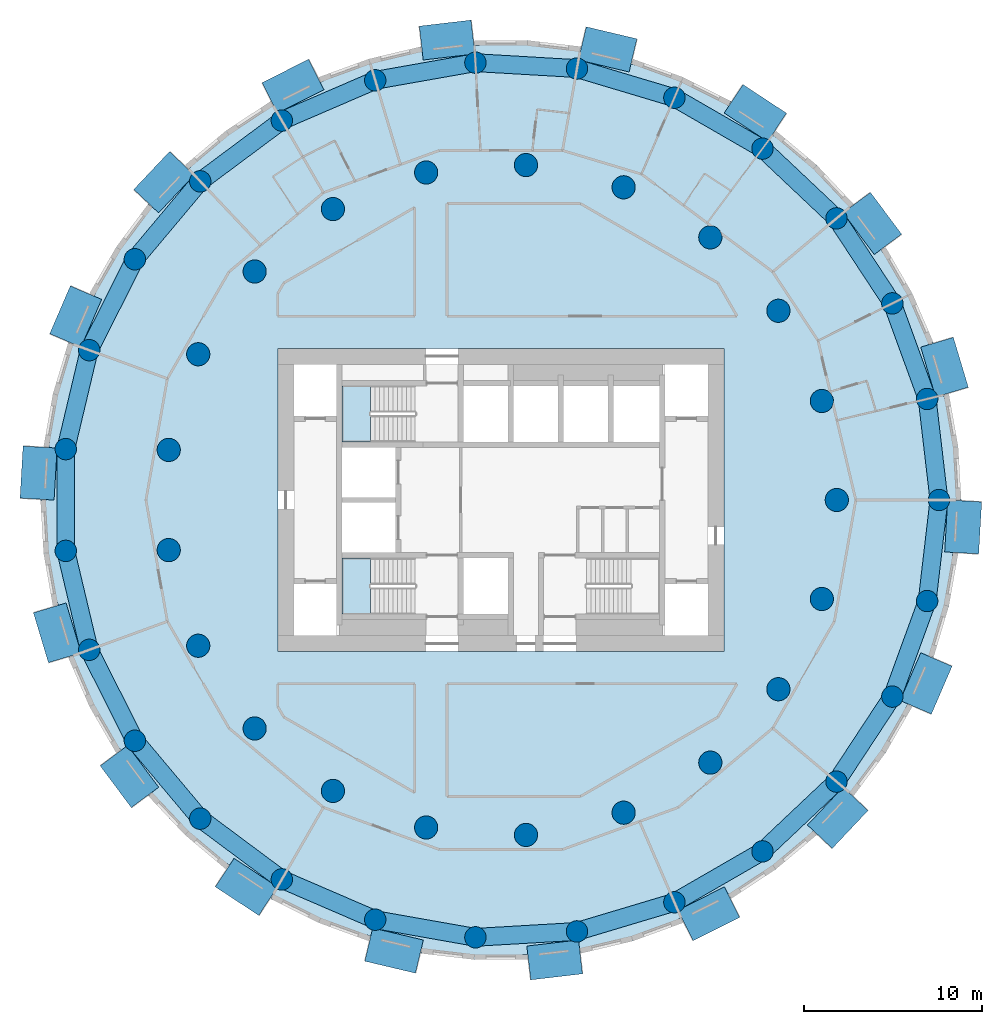
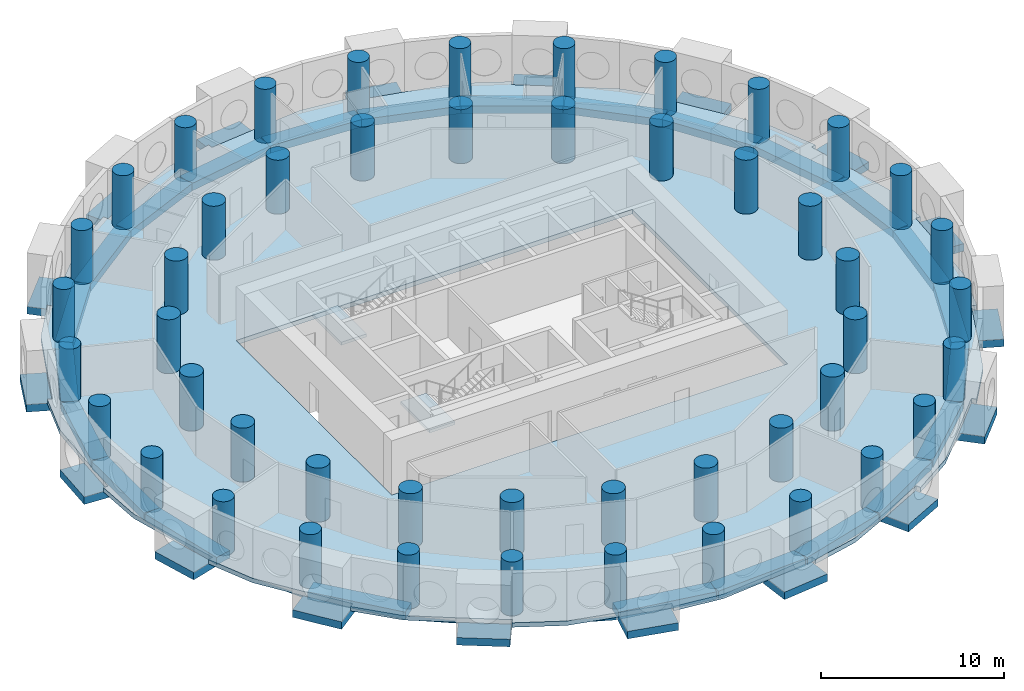
# One storey, part 1 of 9: 48 columns, 45 beams, 3 slabs, 2 elements without a shape of their own.
"""IFC4 building model written with IfcOpenShell, lengths in metres."""

import ifcopenshell
import ifcopenshell.guid

model = None  # the IFC model being written
_history = None  # IfcOwnerHistory: only IFC2X3 demands one
_inside = {}  # id of a spatial element -> (the spatial element, [elements in it])
_under = {}  # id of a project, library or spatial element -> (it, [spatial elements below it])
_declared = {}  # id of a project -> (the project, [libraries it declares])
_typed = {}  # id of a type object -> (the type object, [elements of that type])
_made_of = {}  # id of a material, layer set ... -> (it, [elements and type objects made of it])


def new_model(schema):
    """Start an empty IFC model of exactly this schema.

    Asked for "IFC4X3", IfcOpenShell would pick the latest addendum, in which some entities
    have other attributes; the version numbers below select the first issue.
    IFC2X3 requires an IfcOwnerHistory on every rooted entity: one is made here for all.
    """
    global model, _history
    if schema == "IFC4X3":
        model = ifcopenshell.file(schema_version=(4, 3, 0, 0))
    else:
        model = ifcopenshell.file(schema=schema)
    _inside.clear()
    _under.clear()
    _declared.clear()
    _typed.clear()
    _made_of.clear()
    _history = None
    if model.schema == "IFC2X3":
        org = make("IfcOrganization", Name="unknown")
        user = make(
            "IfcPersonAndOrganization",
            ThePerson=make("IfcPerson", FamilyName="unknown"),
            TheOrganization=org,
        )
        app = make(
            "IfcApplication",
            ApplicationDeveloper=org,
            Version="unknown",
            ApplicationFullName="unknown",
            ApplicationIdentifier="unknown",
        )
        _history = make(
            "IfcOwnerHistory",
            OwningUser=user,
            OwningApplication=app,
            ChangeAction="ADDED",
            CreationDate=0,
        )
    return model


def make(cls, **values):
    """One entity of the class cls with the attributes given. An attribute that is None is left unset."""
    return model.create_entity(
        cls, **{name: value for name, value in values.items() if value is not None}
    )


def rooted(cls, **values):
    """An entity with a GlobalId (a new one), such as an element, a storey or a relation."""
    return make(cls, GlobalId=ifcopenshell.guid.new(), OwnerHistory=_history, **values)


def si_unit(unit_type, name, prefix=None):
    """IfcSIUnit, for example si_unit("LENGTHUNIT", "METRE", prefix="MILLI")."""
    return make("IfcSIUnit", UnitType=unit_type, Prefix=prefix, Name=name)


def assignment(units):
    """IfcUnitAssignment: the units of a project."""
    return None if units is None else make("IfcUnitAssignment", Units=units)


def point(xyz):
    """IfcCartesianPoint."""
    return None if xyz is None else make("IfcCartesianPoint", Coordinates=xyz)


def direction(xyz):
    """IfcDirection."""
    return None if xyz is None else make("IfcDirection", DirectionRatios=xyz)


def frame(location, z_axis=None, x_axis=None):
    """IfcAxis2Placement3D, a coordinate frame: its origin and axes. An axis left out is left unset."""
    return make(
        "IfcAxis2Placement3D",
        Location=point(location),
        Axis=direction(z_axis),
        RefDirection=direction(x_axis),
    )


def frame_2d(location, x_axis=None):
    """IfcAxis2Placement2D, a coordinate frame in the plane: its origin and x axis."""
    return make(
        "IfcAxis2Placement2D", Location=point(location), RefDirection=direction(x_axis)
    )


def origin():
    """The frame at (0, 0, 0) with its axes left unset."""
    return frame((0.0, 0.0, 0.0))


def origin_2d():
    """The frame at (0, 0) in the plane with its x axis left unset."""
    return frame_2d((0.0, 0.0))


def place(relative_to, where):
    """IfcLocalPlacement: puts the frame where relative to a parent placement (None: the world)."""
    return make(
        "IfcLocalPlacement", PlacementRelTo=relative_to, RelativePlacement=where
    )


def context(
    kind, dimensions, precision=None, world=None, true_north=None, identifier=None
):
    """IfcGeometricRepresentationContext, for example the 3D "Model" context."""
    return make(
        "IfcGeometricRepresentationContext",
        ContextIdentifier=identifier,
        ContextType=kind,
        CoordinateSpaceDimension=dimensions,
        Precision=precision,
        WorldCoordinateSystem=world,
        TrueNorth=true_north,
    )


def subcontext(parent, identifier, kind, view, scale=None):
    """IfcGeometricRepresentationSubContext, for example "Body" below "Model"."""
    return make(
        "IfcGeometricRepresentationSubContext",
        ContextIdentifier=identifier,
        ContextType=kind,
        ParentContext=parent,
        TargetScale=scale,
        TargetView=view,
    )


def project(units=None, contexts=None):
    """IfcProject with its units and contexts."""
    return rooted(
        "IfcProject",
        Name="project",
        RepresentationContexts=contexts,
        UnitsInContext=assignment(units),
    )


def spatial(cls, under=None, at=None, **own):
    """A site, building, storey or space (cls), placed at a placement, below another one or the project."""
    s = rooted(cls, ObjectPlacement=at, **own)
    if under is not None:
        _under.setdefault(under.id(), (under, []))[1].append(s)
    return s


def polyline(points):
    """IfcPolyline through the points."""
    return make("IfcPolyline", Points=[point(p) for p in points])


def profile(cls, at=None, kind="AREA", **sizes):
    """A parametric profile (cls). Its sizes go by their IFC names, for example OverallWidth=200.0."""
    return make(cls, ProfileType=kind, Position=at, **sizes)


def rectangle(**sizes):
    """IfcRectangleProfileDef."""
    return profile("IfcRectangleProfileDef", **sizes)


def circle(**sizes):
    """IfcCircleProfileDef."""
    return profile("IfcCircleProfileDef", **sizes)


def outline(outer, holes=None, kind="AREA"):
    """IfcArbitraryClosedProfileDef: a profile drawn as a closed curve; with holes, ...WithVoids."""
    if holes is None:
        return make("IfcArbitraryClosedProfileDef", ProfileType=kind, OuterCurve=outer)
    return make(
        "IfcArbitraryProfileDefWithVoids",
        ProfileType=kind,
        OuterCurve=outer,
        InnerCurves=holes,
    )


def extrude(swept, where, along, depth):
    """IfcExtrudedAreaSolid: the profile swept, set in the frame where, extruded along a direction by depth."""
    return make(
        "IfcExtrudedAreaSolid",
        SweptArea=swept,
        Position=where,
        ExtrudedDirection=direction(along),
        Depth=depth,
    )


def shape(context_of_items, identifier, shape_type, items):
    """IfcShapeRepresentation: the items that make up one representation, for example the "Body"."""
    return make(
        "IfcShapeRepresentation",
        ContextOfItems=context_of_items,
        RepresentationIdentifier=identifier,
        RepresentationType=shape_type,
        Items=items,
    )


def material(Name=None, Category=None):
    """IfcMaterial."""
    return make("IfcMaterial", Name=Name, Category=Category)


def layer(
    of_material, thickness, ventilated=None, Name=None, Category=None, Priority=None
):
    """IfcMaterialLayer: one layer of a wall or slab, of a material (None: an air gap)."""
    return make(
        "IfcMaterialLayer",
        Material=of_material,
        LayerThickness=thickness,
        IsVentilated=ventilated,
        Name=Name,
        Category=Category,
        Priority=Priority,
    )


def layer_set(layers, Name=None):
    """IfcMaterialLayerSet."""
    return make("IfcMaterialLayerSet", MaterialLayers=layers, LayerSetName=Name)


def material_profile(
    of_material, cross_section, Name=None, Category=None, Priority=None
):
    """IfcMaterialProfile: a cross section and its material."""
    return make(
        "IfcMaterialProfile",
        Name=Name,
        Material=of_material,
        Profile=cross_section,
        Priority=Priority,
        Category=Category,
    )


def profile_set(profiles, Name=None, composite=None):
    """IfcMaterialProfileSet."""
    return make(
        "IfcMaterialProfileSet",
        Name=Name,
        MaterialProfiles=profiles,
        CompositeProfile=composite,
    )


def made_of(thing, what):
    """Note that an element or type object is made of a material, layer set ...; save() writes the relation."""
    if what is not None:
        _made_of.setdefault(what.id(), (what, []))[1].append(thing)
    return thing


def type_object(cls, material=None, **own):
    """A type object (cls), such as IfcWallType, which elements share."""
    return made_of(rooted(cls, **own), material)


def element(
    cls,
    number,
    at=None,
    inside=None,
    cuts=None,
    type_object=None,
    material=None,
    context=None,
    identifier="Body",
    shape_type=None,
    held_by="IfcProductDefinitionShape",
    body=None,
    shapes=None,
    **own,
):
    """One element of the class cls, such as IfcWall. Its Tag is "e" and its number.

    at: its placement. inside: the storey or other place that contains it. cuts: it is an
    opening in that element (IfcRelVoidsElement). A single representation is given by context,
    identifier, shape_type and body (its items); several are given by shapes. held_by: the class
    of the entity that holds the representations. save() writes the other relations.
    """
    e = rooted(cls, Tag="e%d" % number, ObjectPlacement=at, **own)
    if body is not None:
        shapes = [shape(context, identifier, shape_type, body)]
    if shapes is not None:
        e.Representation = make(held_by, Representations=shapes)
    if inside is not None:
        _inside.setdefault(inside.id(), (inside, []))[1].append(e)
    if cuts is not None:
        rooted(
            "IfcRelVoidsElement", RelatingBuildingElement=cuts, RelatedOpeningElement=e
        )
    if type_object is not None:
        _typed.setdefault(type_object.id(), (type_object, []))[1].append(e)
    return made_of(e, material)


def aggregate(whole, parts):
    """IfcRelAggregates: a whole, such as a stair, and the parts it consists of."""
    return rooted("IfcRelAggregates", RelatingObject=whole, RelatedObjects=parts)


def save(model, path):
    """Write the relations noted so far, then the file.

    IfcRelAggregates (storeys below a building ...), IfcRelContainedInSpatialStructure (elements
    in a storey), IfcRelDefinesByType, IfcRelAssociatesMaterial and IfcRelDeclares: one each for
    every whole, place, type object, material and project.
    """
    for whole, parts in _under.values():
        aggregate(whole, parts)
    for where, things in _inside.values():
        rooted(
            "IfcRelContainedInSpatialStructure",
            RelatedElements=things,
            RelatingStructure=where,
        )
    for kind, things in _typed.values():
        rooted("IfcRelDefinesByType", RelatedObjects=things, RelatingType=kind)
    for what, things in _made_of.values():
        rooted("IfcRelAssociatesMaterial", RelatedObjects=things, RelatingMaterial=what)
    for by, libraries in _declared.values():
        rooted("IfcRelDeclares", RelatingContext=by, RelatedDefinitions=libraries)
    model.write(path)


model = new_model("IFC4")

# Units and contexts
model_context = context("Model", 3, precision=1e-05, world=origin(), true_north=direction((0.0, 1.0)))
body_context = subcontext(model_context, "Body", "Model", "MODEL_VIEW")
ifc_project = project(units=[si_unit("LENGTHUNIT", "METRE"), si_unit("AREAUNIT", "SQUARE_METRE"), si_unit("VOLUMEUNIT", "CUBIC_METRE"), si_unit("PLANEANGLEUNIT", "RADIAN"), si_unit("MASSUNIT", "GRAM", prefix="KILO")], contexts=[model_context])

# Site, building, storey
site_placement = place(None, origin())
site = spatial("IfcSite", under=ifc_project, at=site_placement, CompositionType="ELEMENT")
building_placement = place(site_placement, origin())
building = spatial("IfcBuilding", under=site, at=building_placement, Name="Tracery Tower", CompositionType="ELEMENT")
storey_placement = place(building_placement, frame((0.0, 0.0, 176.39990234375)))
storey = spatial("IfcBuildingStorey", under=building, at=storey_placement, Name="L45", CompositionType="ELEMENT", Elevation=176.39990234375)

# Columns
ifc_material_1 = material(Name="Concrete C50/60", Category="concrete")
ifc_material_profile_1 = material_profile(ifc_material_1, circle(Radius=0.60009765625, at=origin_2d()), Name="RC D1200")
ifc_profile_set_1 = profile_set([ifc_material_profile_1], Name="Concrete C50/60")
column_type_1 = type_object("IfcColumnType", Name="Ring 1 column 1200", PredefinedType="COLUMN", material=ifc_profile_set_1)
for number, where, z_axis, x_axis, name in (
    (1, (24.547607421875, 0.0, 0.0), (0.0, 0.0, 1.0), (1.0, 0.0, 0.0), "Ring 1 column 00 at L45"),
    (2, (23.885986328125, 5.6611328125, 0.0), (0.0, 0.0, 1.0), (1.0, 0.0, 0.0), "Ring 1 column 01 at L45"),
    (3, (21.9365234375, 11.01708984375, 0.0), (0.0, 0.0, 1.0), (1.0, 0.0, 0.0), "Ring 1 column 02 at L45"),
    (4, (18.8046875, 15.779052734375, 0.0), (0.0, 0.0, 1.0), (1.0, 0.0, 0.0), "Ring 1 column 03 at L45"),
    (5, (14.658935546875, 19.690185546875, 0.0), (0.0, 0.0, 1.0), (1.0, 0.0, 0.0), "Ring 1 column 04 at L45"),
    (6, (9.722900390625, 22.5400390625, 0.0), (0.0, 0.0, 1.0), (1.0, 0.0, 0.0), "Ring 1 column 05 at L45"),
    (7, (4.2626953125, 24.1748046875, 0.0), (0.0, 0.0, 1.0), (1.0, 0.0, 0.0), "Ring 1 column 06 at L45"),
    (8, (-1.42724609375, 24.506103515625, 0.0), (0.0, 0.0, 1.0), (1.0, 0.0, 0.0), "Ring 1 column 07 at L45"),
    (9, (-7.040283203125, 23.516357421875, 0.0), (0.0, 0.0, 1.0), (1.0, 0.0, 0.0), "Ring 1 column 08 at L45"),
    (10, (-12.273681640625, 21.2587890625, 0.0), (0.0, 0.0, 1.0), (1.0, 0.0, 0.0), "Ring 1 column 09 at L45"),
    (11, (-16.845703125, 17.855224609375, 0.0), (0.0, 0.0, 1.0), (1.0, 0.0, 0.0), "Ring 1 column 10 at L45"),
    (12, (-20.50927734375, 13.4892578125, 0.0), (0.0, 0.0, 1.0), (1.0, 0.0, 0.0), "Ring 1 column 11 at L45"),
    (13, (-23.0673828125, 8.395751953125, 0.0), (0.0, 0.0, 1.0), (1.0, 0.0, 0.0), "Ring 1 column 12 at L45"),
    (14, (-24.381591796875, 2.849853515625, 0.0), (0.0, 0.0, 1.0), (1.0, 0.0, 0.0), "Ring 1 column 13 at L45"),
    (15, (-24.381591796875, -2.849853515625, 0.0), (0.0, 0.0, 1.0), (1.0, 0.0, 0.0), "Ring 1 column 14 at L45"),
    (16, (-23.0673828125, -8.395751953125, 0.0), (0.0, 0.0, 1.0), (1.0, 0.0, 0.0), "Ring 1 column 15 at L45"),
    (17, (-20.50927734375, -13.4892578125, 0.0), (0.0, 0.0, 1.0), (1.0, 0.0, 0.0), "Ring 1 column 16 at L45"),
    (18, (-16.845703125, -17.85546875, 0.0), (0.0, 0.0, 1.0), (1.0, 0.0, 0.0), "Ring 1 column 17 at L45"),
    (19, (-12.27392578125, -21.2587890625, 0.0), (0.0, 0.0, 1.0), (1.0, 0.0, 0.0), "Ring 1 column 18 at L45"),
    (20, (-7.040283203125, -23.516357421875, 0.0), (0.0, 0.0, 1.0), (1.0, 0.0, 0.0), "Ring 1 column 19 at L45"),
    (21, (-1.42724609375, -24.506103515625, 0.0), (0.0, 0.0, 1.0), (1.0, 0.0, 0.0), "Ring 1 column 20 at L45"),
    (22, (4.2626953125, -24.1748046875, 0.0), (0.0, 0.0, 1.0), (1.0, 0.0, 0.0), "Ring 1 column 21 at L45"),
    (23, (9.722900390625, -22.5400390625, 0.0), (0.0, 0.0, 1.0), (1.0, 0.0, 0.0), "Ring 1 column 22 at L45"),
    (24, (14.658935546875, -19.690185546875, 0.0), (0.0, 0.0, 1.0), (1.0, 0.0, 0.0), "Ring 1 column 23 at L45"),
    (25, (18.8046875, -15.779052734375, 0.0), (0.0, 0.0, 1.0), (1.0, 0.0, 0.0), "Ring 1 column 24 at L45"),
    (26, (21.9365234375, -11.01708984375, 0.0), (0.0, 0.0, 1.0), (1.0, 0.0, 0.0), "Ring 1 column 25 at L45"),
    (27, (23.885986328125, -5.6611328125, 0.0), (0.0, 0.0, 1.0), (1.0, 0.0, 0.0), "Ring 1 column 26 at L45"),
):
    element("IfcColumn", number, at=place(storey_placement, frame(where, z_axis=z_axis, x_axis=x_axis)), inside=storey, type_object=column_type_1, Name=name, PredefinedType="COLUMN", context=body_context, shape_type="SweptSolid", body=[
        extrude(circle(Radius=0.60009765625, at=origin_2d()), origin(), (0.0, 0.0, 1.0), 3.60009765625),
    ])
ifc_material_2 = material(Name="Concrete C50/60", Category="concrete")
ifc_material_profile_2 = material_profile(ifc_material_2, circle(Radius=0.64990234375, at=origin_2d()), Name="RC D1300")
ifc_profile_set_2 = profile_set([ifc_material_profile_2], Name="Concrete C50/60")
column_type_2 = type_object("IfcColumnType", Name="Ring 2 column 1300", PredefinedType="COLUMN", material=ifc_profile_set_2)
for number, where, z_axis, x_axis, name in (
    (28, (18.822265625, 0.0, 0.0), (0.0, 0.0, 1.0), (1.0, 0.0, 0.0), "Ring 2 column 00 at L45"),
    (29, (17.986083984375, 5.5478515625, 0.0), (0.0, 0.0, 1.0), (1.0, 0.0, 0.0), "Ring 2 column 01 at L45"),
    (30, (15.551513671875, 10.602783203125, 0.0), (0.0, 0.0, 1.0), (1.0, 0.0, 0.0), "Ring 2 column 02 at L45"),
    (31, (11.7353515625, 14.7158203125, 0.0), (0.0, 0.0, 1.0), (1.0, 0.0, 0.0), "Ring 2 column 03 at L45"),
    (32, (6.87646484375, 17.52099609375, 0.0), (0.0, 0.0, 1.0), (1.0, 0.0, 0.0), "Ring 2 column 04 at L45"),
    (33, (1.406494140625, 18.76953125, 0.0), (0.0, 0.0, 1.0), (1.0, 0.0, 0.0), "Ring 2 column 05 at L45"),
    (34, (-4.188232421875, 18.350341796875, 0.0), (0.0, 0.0, 1.0), (1.0, 0.0, 0.0), "Ring 2 column 06 at L45"),
    (35, (-9.4111328125, 16.300537109375, 0.0), (0.0, 0.0, 1.0), (1.0, 0.0, 0.0), "Ring 2 column 07 at L45"),
    (36, (-13.797607421875, 12.802490234375, 0.0), (0.0, 0.0, 1.0), (1.0, 0.0, 0.0), "Ring 2 column 08 at L45"),
    (37, (-16.958251953125, 8.16650390625, 0.0), (0.0, 0.0, 1.0), (1.0, 0.0, 0.0), "Ring 2 column 09 at L45"),
    (38, (-18.612060546875, 2.805419921875, 0.0), (0.0, 0.0, 1.0), (1.0, 0.0, 0.0), "Ring 2 column 10 at L45"),
    (39, (-18.612060546875, -2.805419921875, 0.0), (0.0, 0.0, 1.0), (1.0, 0.0, 0.0), "Ring 2 column 11 at L45"),
    (40, (-16.958251953125, -8.166748046875, 0.0), (0.0, 0.0, 1.0), (1.0, 0.0, 0.0), "Ring 2 column 12 at L45"),
    (41, (-13.797607421875, -12.80224609375, 0.0), (0.0, 0.0, 1.0), (1.0, 0.0, 0.0), "Ring 2 column 13 at L45"),
    (42, (-9.4111328125, -16.300537109375, 0.0), (0.0, 0.0, 1.0), (1.0, 0.0, 0.0), "Ring 2 column 14 at L45"),
    (43, (-4.188232421875, -18.350341796875, 0.0), (0.0, 0.0, 1.0), (1.0, 0.0, 0.0), "Ring 2 column 15 at L45"),
    (44, (1.406494140625, -18.76953125, 0.0), (0.0, 0.0, 1.0), (1.0, 0.0, 0.0), "Ring 2 column 16 at L45"),
    (45, (6.87646484375, -17.52099609375, 0.0), (0.0, 0.0, 1.0), (1.0, 0.0, 0.0), "Ring 2 column 17 at L45"),
    (46, (11.7353515625, -14.7158203125, 0.0), (0.0, 0.0, 1.0), (1.0, 0.0, 0.0), "Ring 2 column 18 at L45"),
    (47, (15.551513671875, -10.602783203125, 0.0), (0.0, 0.0, 1.0), (1.0, 0.0, 0.0), "Ring 2 column 19 at L45"),
    (48, (17.986083984375, -5.5478515625, 0.0), (0.0, 0.0, 1.0), (1.0, 0.0, 0.0), "Ring 2 column 20 at L45"),
):
    element("IfcColumn", number, at=place(storey_placement, frame(where, z_axis=z_axis, x_axis=x_axis)), inside=storey, type_object=column_type_2, Name=name, PredefinedType="COLUMN", context=body_context, shape_type="SweptSolid", body=[
        extrude(circle(Radius=0.64990234375, at=origin_2d()), origin(), (0.0, 0.0, 1.0), 3.60009765625),
    ])

# Beams
ifc_material_3 = material(Name="Concrete C50/60", Category="concrete")
ifc_material_profile_3 = material_profile(ifc_material_3, rectangle(XDim=1.909912109375, YDim=0.5, at=origin_2d()), Name="RC 1910x500")
ifc_profile_set_3 = profile_set([ifc_material_profile_3], Name="Concrete C50/60")
beam_type_1 = type_object("IfcBeamType", Name="Bay seat beam 1910 x 500", PredefinedType="BEAM", material=ifc_profile_set_3)
beam_1_placement = place(storey_placement, frame((25.277587890625, 6.043701171875, -0.5498046875), z_axis=(-0.286803183854, 0.957989526942, 0.0), x_axis=(-0.957989526942, -0.286803183854, 0.0)))
element("IfcBeam", 49, at=beam_1_placement, inside=storey, type_object=beam_type_1, Name="Bay seat beam 3 at L45", PredefinedType="BEAM", context=body_context, shape_type="SweptSolid", body=[
    extrude(rectangle(XDim=1.909912109375, YDim=0.5, at=origin_2d()), origin(), (0.0, 0.0, 1.0), 2.919677734375),
])
for number, where, z_axis, x_axis, name in (
    (50, (21.686279296875, 14.32470703125, -0.5498046875), (-0.597227237606, 0.802072083208, 0.0), (-0.802072083208, -0.597227237606, 0.0), "Bay seat beam 6 at L45"),
    (51, (15.47900390625, 20.8779296875, -0.5498046875), (-0.83550698432, 0.549479825974, 0.0), (-0.549479825974, -0.83550698432, 0.0), "Bay seat beam 9 at L45"),
    (52, (7.405029296875, 24.912841796875, -0.5498046875), (-0.973049685991, 0.230595551982, 0.0), (-0.230595551982, -0.973049685991, 0.0), "Bay seat beam 12 at L45"),
):
    element("IfcBeam", number, at=place(storey_placement, frame(where, z_axis=z_axis, x_axis=x_axis)), inside=storey, type_object=beam_type_1, Name=name, PredefinedType="BEAM", context=body_context, shape_type="SweptSolid", body=[
        extrude(rectangle(XDim=1.909912109375, YDim=0.5, at=origin_2d()), origin(), (0.0, 0.0, 1.0), 2.919921875),
    ])
beam_2_placement = place(storey_placement, frame((-1.562255859375, 25.943115234375, -0.5498046875), z_axis=(-0.993234239252, -0.11612814464, 0.0), x_axis=(0.11612814464, -0.993234239252, 0.0)))
element("IfcBeam", 53, at=beam_2_placement, inside=storey, type_object=beam_type_1, Name="Bay seat beam 15 at L45", PredefinedType="BEAM", context=body_context, shape_type="SweptSolid", body=[
    extrude(rectangle(XDim=1.909912109375, YDim=0.5, at=origin_2d()), origin(), (0.0, 0.0, 1.0), 2.920166015625),
])
for number, where, z_axis, x_axis, name in (
    (54, (-10.34130859375, 23.84423828125, -0.5498046875), (-0.893623094924, -0.448818186148, 0.0), (0.448818186148, -0.893623094924, 0.0), "Bay seat beam 18 at L45"),
    (55, (-17.872802734375, 18.869384765625, -0.5498046875), (-0.686196220404, -0.727416488061, 0.0), (0.727416488061, -0.686196220404, 0.0), "Bay seat beam 21 at L45"),
    (56, (-23.24853515625, 11.618408203125, -0.5498046875), (-0.39606761336, -0.918221348939, 0.0), (0.918221348939, -0.39606761336, 0.0), "Bay seat beam 24 at L45"),
    (57, (-25.8203125, 2.96630859375, -0.5498046875), (-0.058109347222, -0.998310224212, 0.0), (0.998310224212, -0.058109347222, 0.0), "Bay seat beam 27 at L45"),
):
    element("IfcBeam", number, at=place(storey_placement, frame(where, z_axis=z_axis, x_axis=x_axis)), inside=storey, type_object=beam_type_1, Name=name, PredefinedType="BEAM", context=body_context, shape_type="SweptSolid", body=[
        extrude(rectangle(XDim=1.909912109375, YDim=0.5, at=origin_2d()), origin(), (0.0, 0.0, 1.0), 2.919921875),
    ])
beam_3_placement = place(storey_placement, frame((-25.277587890625, -6.043701171875, -0.5498046875), z_axis=(0.286803183854, -0.957989526942, 0.0), x_axis=(0.957989526942, 0.286803183854, 0.0)))
element("IfcBeam", 58, at=beam_3_placement, inside=storey, type_object=beam_type_1, Name="Bay seat beam 30 at L45", PredefinedType="BEAM", context=body_context, shape_type="SweptSolid", body=[
    extrude(rectangle(XDim=1.909912109375, YDim=0.5, at=origin_2d()), origin(), (0.0, 0.0, 1.0), 2.919677734375),
])
for number, where, z_axis, x_axis, name in (
    (59, (-21.686279296875, -14.32470703125, -0.5498046875), (0.597227237606, -0.802072083208, 0.0), (0.802072083208, 0.597227237606, 0.0), "Bay seat beam 33 at L45"),
    (60, (-15.47900390625, -20.8779296875, -0.5498046875), (0.83550698432, -0.549479825974, 0.0), (0.549479825974, 0.83550698432, 0.0), "Bay seat beam 36 at L45"),
    (61, (-7.405029296875, -24.912841796875, -0.5498046875), (0.973049685991, -0.230595551982, 0.0), (0.230595551982, 0.973049685991, 0.0), "Bay seat beam 39 at L45"),
):
    element("IfcBeam", number, at=place(storey_placement, frame(where, z_axis=z_axis, x_axis=x_axis)), inside=storey, type_object=beam_type_1, Name=name, PredefinedType="BEAM", context=body_context, shape_type="SweptSolid", body=[
        extrude(rectangle(XDim=1.909912109375, YDim=0.5, at=origin_2d()), origin(), (0.0, 0.0, 1.0), 2.919921875),
    ])
beam_4_placement = place(storey_placement, frame((1.562255859375, -25.943115234375, -0.5498046875), z_axis=(0.993234239252, 0.11612814464, 0.0), x_axis=(-0.11612814464, 0.993234239252, 0.0)))
element("IfcBeam", 62, at=beam_4_placement, inside=storey, type_object=beam_type_1, Name="Bay seat beam 42 at L45", PredefinedType="BEAM", context=body_context, shape_type="SweptSolid", body=[
    extrude(rectangle(XDim=1.909912109375, YDim=0.5, at=origin_2d()), origin(), (0.0, 0.0, 1.0), 2.920166015625),
])
for number, where, z_axis, x_axis, name in (
    (63, (10.34130859375, -23.84423828125, -0.5498046875), (0.893623094924, 0.448818186148, 0.0), (-0.448818186148, 0.893623094924, 0.0), "Bay seat beam 45 at L45"),
    (64, (17.872802734375, -18.869384765625, -0.5498046875), (0.686196220404, 0.727416488061, 0.0), (-0.727416488061, 0.686196220404, 0.0), "Bay seat beam 48 at L45"),
    (65, (23.24853515625, -11.618408203125, -0.5498046875), (0.39606761336, 0.918221348939, 0.0), (-0.918221348939, 0.39606761336, 0.0), "Bay seat beam 51 at L45"),
    (66, (25.8203125, -2.96630859375, -0.5498046875), (0.058109347222, 0.998310224212, 0.0), (-0.998310224212, 0.058109347222, 0.0), "Bay seat beam 54 at L45"),
):
    element("IfcBeam", number, at=place(storey_placement, frame(where, z_axis=z_axis, x_axis=x_axis)), inside=storey, type_object=beam_type_1, Name=name, PredefinedType="BEAM", context=body_context, shape_type="SweptSolid", body=[
        extrude(rectangle(XDim=1.909912109375, YDim=0.5, at=origin_2d()), origin(), (0.0, 0.0, 1.0), 2.919921875),
    ])
ifc_material_4 = material(Name="Concrete C50/60", Category="concrete")
ifc_material_profile_4 = material_profile(ifc_material_4, rectangle(XDim=1.0, YDim=0.5, at=origin_2d()), Name="RC 1000x500")
ifc_profile_set_4 = profile_set([ifc_material_profile_4], Name="Concrete C50/60")
beam_type_2 = type_object("IfcBeamType", Name="Perimeter band beam 1000x500", PredefinedType="BEAM", material=ifc_profile_set_4)
for number, where, z_axis, x_axis, name in (
    (67, (24.547607421875, 0.0, -0.5498046875), (-0.116080723252, 0.993239782575, 0.0), (-0.993239782575, -0.116080723252, 0.0), "Perimeter beam 1.00 under L45"),
    (68, (23.885986328125, 5.6611328125, -0.5498046875), (-0.342028502279, 0.939689578334, 0.0), (-0.939689578334, -0.342028502279, 0.0), "Perimeter beam 1.01 under L45"),
):
    element("IfcBeam", number, at=place(storey_placement, frame(where, z_axis=z_axis, x_axis=x_axis)), inside=storey, type_object=beam_type_2, Name=name, PredefinedType="BEAM", context=body_context, shape_type="SweptSolid", body=[
        extrude(rectangle(XDim=1.0, YDim=0.5, at=origin_2d()), origin(), (0.0, 0.0, 1.0), 5.69970703125),
    ])
for number, where, z_axis, x_axis, name in (
    (69, (21.9365234375, 11.01708984375, -0.5498046875), (-0.549489832182, 0.835500403548, 0.0), (-0.835500403548, -0.549489832182, 0.0), "Perimeter beam 1.02 under L45"),
    (70, (18.8046875, 15.779052734375, -0.5498046875), (-0.727389618263, 0.686224703172, 0.0), (-0.686224703172, -0.727389618263, 0.0), "Perimeter beam 1.03 under L45"),
):
    element("IfcBeam", number, at=place(storey_placement, frame(where, z_axis=z_axis, x_axis=x_axis)), inside=storey, type_object=beam_type_2, Name=name, PredefinedType="BEAM", context=body_context, shape_type="SweptSolid", body=[
        extrude(rectangle(XDim=1.0, YDim=0.5, at=origin_2d()), origin(), (0.0, 0.0, 1.0), 5.699462890625),
    ])
for number, where, z_axis, x_axis, name in (
    (71, (14.658935546875, 19.690185546875, -0.5498046875), (-0.866022950691, 0.500004248858, 0.0), (-0.500004248858, -0.866022950691, 0.0), "Perimeter beam 1.04 under L45"),
    (72, (9.722900390625, 22.5400390625, -0.5498046875), (-0.957985292634, 0.28681732705, 0.0), (-0.28681732705, -0.957985292634, 0.0), "Perimeter beam 1.05 under L45"),
):
    element("IfcBeam", number, at=place(storey_placement, frame(where, z_axis=z_axis, x_axis=x_axis)), inside=storey, type_object=beam_type_2, Name=name, PredefinedType="BEAM", context=body_context, shape_type="SweptSolid", body=[
        extrude(rectangle(XDim=1.0, YDim=0.5, at=origin_2d()), origin(), (0.0, 0.0, 1.0), 5.69970703125),
    ])
beam_5_placement = place(storey_placement, frame((4.2626953125, 24.1748046875, -0.5498046875), z_axis=(-0.99830920221, 0.058126902403, 0.0), x_axis=(-0.058126902403, -0.99830920221, 0.0)))
element("IfcBeam", 73, at=beam_5_placement, inside=storey, type_object=beam_type_2, Name="Perimeter beam 1.06 under L45", PredefinedType="BEAM", context=body_context, shape_type="SweptSolid", body=[
    extrude(rectangle(XDim=1.0, YDim=0.5, at=origin_2d()), origin(), (0.0, 0.0, 1.0), 5.699462890625),
])
beam_6_placement = place(storey_placement, frame((-1.42724609375, 24.506103515625, -0.5498046875), z_axis=(-0.984807266719, -0.173650935552, 0.0), x_axis=(0.173650935552, -0.984807266719, 0.0)))
element("IfcBeam", 74, at=beam_6_placement, inside=storey, type_object=beam_type_2, Name="Perimeter beam 1.07 under L45", PredefinedType="BEAM", context=body_context, shape_type="SweptSolid", body=[
    extrude(rectangle(XDim=1.0, YDim=0.5, at=origin_2d()), origin(), (0.0, 0.0, 1.0), 5.69970703125),
])
beam_7_placement = place(storey_placement, frame((-7.040283203125, 23.516357421875, -0.5498046875), z_axis=(-0.918209685525, -0.396094652083, 0.0), x_axis=(0.396094652083, -0.918209685525, 0.0)))
element("IfcBeam", 75, at=beam_7_placement, inside=storey, type_object=beam_type_2, Name="Perimeter beam 1.08 under L45", PredefinedType="BEAM", context=body_context, shape_type="SweptSolid", body=[
    extrude(rectangle(XDim=1.0, YDim=0.5, at=origin_2d()), origin(), (0.0, 0.0, 1.0), 5.699462890625),
])
beam_8_placement = place(storey_placement, frame((-12.273681640625, 21.2587890625, -0.5498046875), z_axis=(-0.802138271299, -0.59713833717, 0.0), x_axis=(0.59713833717, -0.802138271299, 0.0)))
element("IfcBeam", 76, at=beam_8_placement, inside=storey, type_object=beam_type_2, Name="Perimeter beam 1.09 under L45", PredefinedType="BEAM", context=body_context, shape_type="SweptSolid", body=[
    extrude(rectangle(XDim=1.0, YDim=0.5, at=origin_2d()), origin(), (0.0, 0.0, 1.0), 5.69970703125),
])
beam_9_placement = place(storey_placement, frame((-16.845703125, 17.855224609375, -0.5498046875), z_axis=(-0.642797194343, -0.766036400535, 0.0), x_axis=(0.766036400535, -0.642797194343, 0.0)))
element("IfcBeam", 77, at=beam_9_placement, inside=storey, type_object=beam_type_2, Name="Perimeter beam 1.10 under L45", PredefinedType="BEAM", context=body_context, shape_type="SweptSolid", body=[
    extrude(rectangle(XDim=1.0, YDim=0.5, at=origin_2d()), origin(), (0.0, 0.0, 1.0), 5.699462890625),
])
beam_10_placement = place(storey_placement, frame((-20.50927734375, 13.4892578125, -0.5498046875), z_axis=(-0.448806280933, -0.893629074166, 0.0), x_axis=(0.893629074166, -0.448806280933, 0.0)))
element("IfcBeam", 78, at=beam_10_placement, inside=storey, type_object=beam_type_2, Name="Perimeter beam 1.11 under L45", PredefinedType="BEAM", context=body_context, shape_type="SweptSolid", body=[
    extrude(rectangle(XDim=1.0, YDim=0.5, at=origin_2d()), origin(), (0.0, 0.0, 1.0), 5.69970703125),
])
beam_11_placement = place(storey_placement, frame((-23.0673828125, 8.395751953125, -0.5498046875), z_axis=(-0.230583793756, -0.973052472407, 0.0), x_axis=(0.973052472407, -0.230583793756, 0.0)))
element("IfcBeam", 79, at=beam_11_placement, inside=storey, type_object=beam_type_2, Name="Perimeter beam 1.12 under L45", PredefinedType="BEAM", context=body_context, shape_type="SweptSolid", body=[
    extrude(rectangle(XDim=1.0, YDim=0.5, at=origin_2d()), origin(), (0.0, 0.0, 1.0), 5.699462890625),
])
beam_12_placement = place(storey_placement, frame((-24.381591796875, 2.849853515625, -0.5498046875), z_axis=(0.0, -1.0, 0.0), x_axis=(1.0, 0.0, 0.0)))
element("IfcBeam", 80, at=beam_12_placement, inside=storey, type_object=beam_type_2, Name="Perimeter beam 1.13 under L45", PredefinedType="BEAM", context=body_context, shape_type="SweptSolid", body=[
    extrude(rectangle(XDim=1.0, YDim=0.5, at=origin_2d()), origin(), (0.0, 0.0, 1.0), 5.69970703125),
])
beam_13_placement = place(storey_placement, frame((-24.381591796875, -2.849853515625, -0.5498046875), z_axis=(0.230583793756, -0.973052472407, 0.0), x_axis=(0.973052472407, 0.230583793756, 0.0)))
element("IfcBeam", 81, at=beam_13_placement, inside=storey, type_object=beam_type_2, Name="Perimeter beam 1.14 under L45", PredefinedType="BEAM", context=body_context, shape_type="SweptSolid", body=[
    extrude(rectangle(XDim=1.0, YDim=0.5, at=origin_2d()), origin(), (0.0, 0.0, 1.0), 5.699462890625),
])
for number, where, z_axis, x_axis, name in (
    (82, (-23.0673828125, -8.395751953125, -0.5498046875), (0.448806280933, -0.893629074166, 0.0), (0.893629074166, 0.448806280933, 0.0), "Perimeter beam 1.15 under L45"),
    (83, (-20.50927734375, -13.4892578125, -0.5498046875), (0.64277610208, -0.766054099, 0.0), (0.766054099, 0.64277610208, 0.0), "Perimeter beam 1.16 under L45"),
):
    element("IfcBeam", number, at=place(storey_placement, frame(where, z_axis=z_axis, x_axis=x_axis)), inside=storey, type_object=beam_type_2, Name=name, PredefinedType="BEAM", context=body_context, shape_type="SweptSolid", body=[
        extrude(rectangle(XDim=1.0, YDim=0.5, at=origin_2d()), origin(), (0.0, 0.0, 1.0), 5.69970703125),
    ])
beam_14_placement = place(storey_placement, frame((-16.845703125, -17.85546875, -0.5498046875), z_axis=(0.802143514942, -0.597131293298, 0.0), x_axis=(0.597131293298, 0.802143514942, 0.0)))
element("IfcBeam", 84, at=beam_14_placement, inside=storey, type_object=beam_type_2, Name="Perimeter beam 1.17 under L45", PredefinedType="BEAM", context=body_context, shape_type="SweptSolid", body=[
    extrude(rectangle(XDim=1.0, YDim=0.5, at=origin_2d()), origin(), (0.0, 0.0, 1.0), 5.699462890625),
])
for number, where, z_axis, x_axis, name in (
    (85, (-12.27392578125, -21.2587890625, -0.5498046875), (0.918216405543, -0.39607907366, 0.0), (0.39607907366, 0.918216405543, 0.0), "Perimeter beam 1.18 under L45"),
    (86, (-7.040283203125, -23.516357421875, -0.5498046875), (0.984807266719, -0.173650935552, 0.0), (0.173650935552, 0.984807266719, 0.0), "Perimeter beam 1.19 under L45"),
):
    element("IfcBeam", number, at=place(storey_placement, frame(where, z_axis=z_axis, x_axis=x_axis)), inside=storey, type_object=beam_type_2, Name=name, PredefinedType="BEAM", context=body_context, shape_type="SweptSolid", body=[
        extrude(rectangle(XDim=1.0, YDim=0.5, at=origin_2d()), origin(), (0.0, 0.0, 1.0), 5.69970703125),
    ])
beam_15_placement = place(storey_placement, frame((-1.42724609375, -24.506103515625, -0.5498046875), z_axis=(0.99830920221, 0.058126902403, 0.0), x_axis=(-0.058126902403, 0.99830920221, 0.0)))
element("IfcBeam", 87, at=beam_15_placement, inside=storey, type_object=beam_type_2, Name="Perimeter beam 1.20 under L45", PredefinedType="BEAM", context=body_context, shape_type="SweptSolid", body=[
    extrude(rectangle(XDim=1.0, YDim=0.5, at=origin_2d()), origin(), (0.0, 0.0, 1.0), 5.699462890625),
])
for number, where, z_axis, x_axis, name in (
    (88, (4.2626953125, -24.1748046875, -0.5498046875), (0.957985292634, 0.28681732705, 0.0), (-0.28681732705, 0.957985292634, 0.0), "Perimeter beam 1.21 under L45"),
    (89, (9.722900390625, -22.5400390625, -0.5498046875), (0.866022950691, 0.500004248858, 0.0), (-0.500004248858, 0.866022950691, 0.0), "Perimeter beam 1.22 under L45"),
):
    element("IfcBeam", number, at=place(storey_placement, frame(where, z_axis=z_axis, x_axis=x_axis)), inside=storey, type_object=beam_type_2, Name=name, PredefinedType="BEAM", context=body_context, shape_type="SweptSolid", body=[
        extrude(rectangle(XDim=1.0, YDim=0.5, at=origin_2d()), origin(), (0.0, 0.0, 1.0), 5.69970703125),
    ])
for number, where, z_axis, x_axis, name in (
    (90, (14.658935546875, -19.690185546875, -0.5498046875), (0.727389618263, 0.686224703172, 0.0), (-0.686224703172, 0.727389618263, 0.0), "Perimeter beam 1.23 under L45"),
    (91, (18.8046875, -15.779052734375, -0.5498046875), (0.549489832182, 0.835500403548, 0.0), (-0.835500403548, 0.549489832182, 0.0), "Perimeter beam 1.24 under L45"),
):
    element("IfcBeam", number, at=place(storey_placement, frame(where, z_axis=z_axis, x_axis=x_axis)), inside=storey, type_object=beam_type_2, Name=name, PredefinedType="BEAM", context=body_context, shape_type="SweptSolid", body=[
        extrude(rectangle(XDim=1.0, YDim=0.5, at=origin_2d()), origin(), (0.0, 0.0, 1.0), 5.699462890625),
    ])
for number, where, z_axis, x_axis, name in (
    (92, (21.9365234375, -11.01708984375, -0.5498046875), (0.342028502279, 0.939689578334, 0.0), (-0.939689578334, 0.342028502279, 0.0), "Perimeter beam 1.25 under L45"),
    (93, (23.885986328125, -5.6611328125, -0.5498046875), (0.116080723252, 0.993239782575, 0.0), (-0.993239782575, 0.116080723252, 0.0), "Perimeter beam 1.26 under L45"),
):
    element("IfcBeam", number, at=place(storey_placement, frame(where, z_axis=z_axis, x_axis=x_axis)), inside=storey, type_object=beam_type_2, Name=name, PredefinedType="BEAM", context=body_context, shape_type="SweptSolid", body=[
        extrude(rectangle(XDim=1.0, YDim=0.5, at=origin_2d()), origin(), (0.0, 0.0, 1.0), 5.69970703125),
    ])

# Slab
ifc_material_5 = material(Name="Concrete C40/50", Category="concrete")
ifc_layer_1 = layer(ifc_material_5, 0.300048828125)
ifc_layer_set_1 = layer_set([ifc_layer_1], Name="Floor slab 300")
slab_type_1 = type_object("IfcSlabType", Name="Floor slab 300", PredefinedType="FLOOR", material=ifc_layer_set_1)
slab_1_placement = place(storey_placement, frame((0.0, 0.0, -0.2998046875)))
element("IfcSlab", 94, at=slab_1_placement, inside=storey, type_object=slab_type_1, Name="Floor slab L45", PredefinedType="FLOOR", context=body_context, shape_type="SweptSolid", body=[
    extrude(outline(polyline([(24.809814453125, 5.8798828125), (24.694580078125, 6.265380859375), (23.95947265625, 8.720703125), (23.95947265625, 8.720703125), (23.95458984375, 8.7373046875), (24.241943359375, 8.8232421875), (23.0537109375, 11.577880859375), (21.302490234375, 14.010986328125), (20.657958984375, 14.876953125), (19.521484375, 16.4033203125), (19.76220703125, 16.58251953125), (17.70361328125, 18.7646484375), (15.227294921875, 20.450927734375), (13.4443359375, 21.623779296875), (12.74853515625, 22.081298828125), (12.74853515625, 22.081298828125), (12.73388671875, 22.0908203125), (12.89892578125, 22.341552734375), (10.218017578125, 23.68798828125), (7.312744140625, 24.426025390625), (4.427490234375, 25.10986328125), (4.427490234375, 25.10986328125), (4.410400390625, 25.114013671875), (4.4794921875, 25.4052734375), (4.479736328125, 25.40576171875), (1.5, 25.754150390625), (-1.47998046875, 25.454345703125), (-3.055908203125, 25.27001953125), (-4.427490234375, 25.10986328125), (-4.427490234375, 25.10986328125), (-4.44482421875, 25.10791015625), (-4.479736328125, 25.40576171875), (-7.39892578125, 24.7138671875), (-10.098876953125, 23.411865234375), (-12.74853515625, 22.081298828125), (-12.74853515625, 22.081298828125), (-12.76416015625, 22.073486328125), (-12.89892578125, 22.341552734375), (-15.4052734375, 20.69287109375), (-17.497314453125, 18.5458984375), (-18.208740234375, 17.791748046875), (-19.5439453125, 16.376708984375), (-19.76171875, 16.581787109375), (-19.76220703125, 16.58251953125), (-21.5537109375, 14.176025390625), (-22.78515625, 11.443115234375), (-23.95947265625, 8.720703125), (-23.95947265625, 8.720703125), (-23.96630859375, 8.70458984375), (-24.241455078125, 8.822998046875), (-24.241943359375, 8.8232421875), (-25.102294921875, 5.949462890625), (-25.32470703125, 2.96044921875), (-25.498291015625, -0.017333984375), (-25.797607421875, 0.0), (-25.797607421875, 0.0), (-25.623291015625, -2.994873046875), (-24.809814453125, -5.8798828125), (-24.694580078125, -6.265380859375), (-23.95947265625, -8.720703125), (-23.95947265625, -8.720703125), (-23.95458984375, -8.7373046875), (-24.241943359375, -8.8232421875), (-23.0537109375, -11.577880859375), (-21.302490234375, -14.010986328125), (-20.657958984375, -14.876953125), (-19.521484375, -16.4033203125), (-19.76220703125, -16.58251953125), (-17.70361328125, -18.7646484375), (-15.227294921875, -20.450927734375), (-13.4443359375, -21.623779296875), (-12.74853515625, -22.081298828125), (-12.74853515625, -22.081298828125), (-12.73388671875, -22.0908203125), (-12.89892578125, -22.341552734375), (-10.218017578125, -23.68798828125), (-7.312744140625, -24.426025390625), (-4.427490234375, -25.10986328125), (-4.427490234375, -25.10986328125), (-4.410400390625, -25.114013671875), (-4.4794921875, -25.4052734375), (-4.479736328125, -25.40576171875), (-1.5, -25.754150390625), (1.47998046875, -25.454345703125), (3.055908203125, -25.27001953125), (4.427490234375, -25.10986328125), (4.427490234375, -25.10986328125), (4.44482421875, -25.10791015625), (4.479736328125, -25.40576171875), (7.39892578125, -24.7138671875), (10.098876953125, -23.411865234375), (12.74853515625, -22.081298828125), (12.74853515625, -22.081298828125), (12.76416015625, -22.073486328125), (12.898681640625, -22.341064453125), (12.89892578125, -22.341552734375), (15.4052734375, -20.69287109375), (17.497314453125, -18.5458984375), (18.208740234375, -17.791748046875), (19.5439453125, -16.376708984375), (19.76171875, -16.581787109375), (19.76220703125, -16.58251953125), (21.5537109375, -14.176025390625), (22.78515625, -11.443115234375), (23.95947265625, -8.720703125), (23.95947265625, -8.720703125), (23.96630859375, -8.70458984375), (24.241455078125, -8.822998046875), (24.241943359375, -8.8232421875), (25.102294921875, -5.949462890625), (25.32470703125, -2.96044921875), (25.498291015625, 0.017333984375), (25.797607421875, 0.0), (25.623291015625, 2.994873046875), (24.809814453125, 5.8798828125)]), holes=[polyline([(-12.5, -8.5), (12.5, -8.5), (12.5, 8.5), (-12.5, 8.5), (-12.5, -8.5)])]), origin(), (0.0, 0.0, 1.0), 0.2998046875),
])

# Stair, slab
ifc_material_6 = material(Name="Concrete C32/40", Category="concrete")
stair_type = type_object("IfcStairType", Name="Core stair 22 risers", PredefinedType="HALF_TURN_STAIR", material=ifc_material_6)
stair_1_placement = place(storey_placement, origin())
stair_1 = element("IfcStair", 95, at=stair_1_placement, inside=storey, type_object=stair_type, Name="L45 stair ST1", PredefinedType="HALF_TURN_STAIR")
ifc_material_7 = material(Name="Concrete C32/40", Category="concrete")
ifc_layer_2 = layer(ifc_material_7, 0.199951171875)
ifc_layer_set_2 = layer_set([ifc_layer_2], Name="Stair landing slab 200")
slab_type_2 = type_object("IfcSlabType", Name="Stair landing slab 200", PredefinedType="LANDING", material=ifc_layer_set_2)
slab_2_placement = place(storey_placement, frame((0.0, 0.0, 1.60009765625)))
slab_2 = element("IfcSlab", 96, at=slab_2_placement, type_object=slab_type_2, Name="ST1 landing 1", PredefinedType="LANDING", context=body_context, shape_type="SweptSolid", body=[
    extrude(outline(polyline([(-7.29931640625, -3.25), (-8.89990234375, -3.25), (-8.89990234375, -6.39990234375), (-7.29931640625, -6.39990234375), (-7.29931640625, -3.25)])), origin(), (0.0, 0.0, 1.0), 0.199951171875),
])
aggregate(stair_1, [slab_2])

stair_2_placement = place(storey_placement, origin())
stair_2 = element("IfcStair", 97, at=stair_2_placement, inside=storey, type_object=stair_type, Name="L45 stair ST3", PredefinedType="HALF_TURN_STAIR")
slab_3_placement = place(storey_placement, frame((0.0, 0.0, 1.60009765625)))
slab_3 = element("IfcSlab", 98, at=slab_3_placement, type_object=slab_type_2, Name="ST3 landing 1", PredefinedType="LANDING", context=body_context, shape_type="SweptSolid", body=[
    extrude(outline(polyline([(-7.29931640625, 6.39990234375), (-8.89990234375, 6.39990234375), (-8.89990234375, 3.25), (-7.29931640625, 3.25), (-7.29931640625, 6.39990234375)])), origin(), (0.0, 0.0, 1.0), 0.199951171875),
])
aggregate(stair_2, [slab_3])

save(model, "model.ifc")
